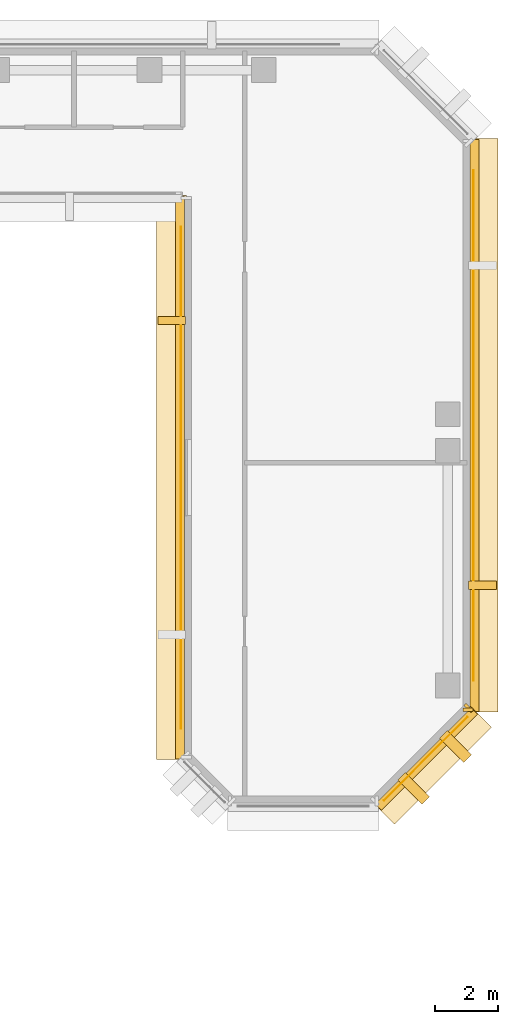
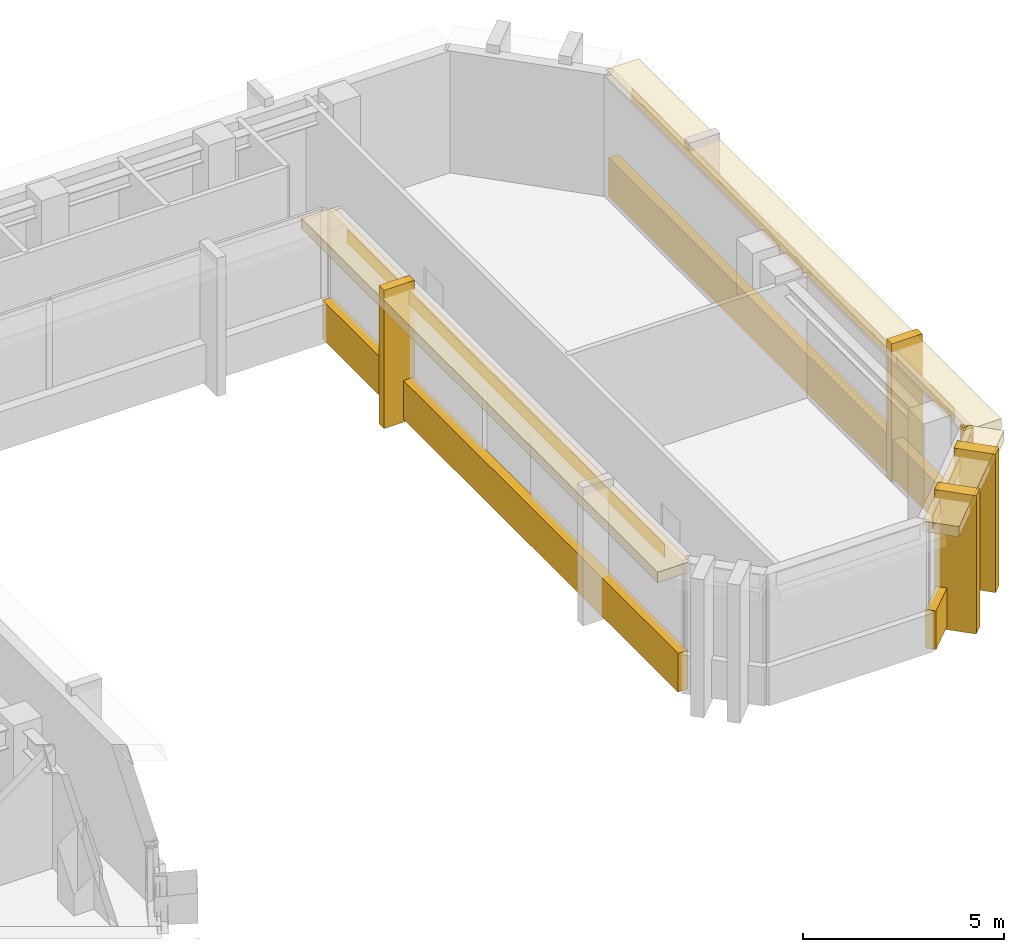
# One storey, part 9 of 11: 15 coverings.
"""IFC4 building model written with IfcOpenShell, lengths in metres."""

from ifc_helpers import new_model, si_unit, direction, frame, origin, origin_2d, place, context, subcontext, project, spatial, rectangle, extrude, material, layer, layer_set, type_object, element, save


model = new_model("IFC4")

# Units and contexts
model_context = context("Model", 3, precision=1e-05, world=origin(), true_north=direction((0.0, 1.0)))
body_context = subcontext(model_context, "Body", "Model", "MODEL_VIEW")
ifc_project = project(units=[si_unit("LENGTHUNIT", "METRE"), si_unit("AREAUNIT", "SQUARE_METRE"), si_unit("VOLUMEUNIT", "CUBIC_METRE"), si_unit("PLANEANGLEUNIT", "RADIAN"), si_unit("MASSUNIT", "GRAM", prefix="KILO")], contexts=[model_context])

# Site, building, storey
site_placement = place(None, origin())
site = spatial("IfcSite", under=ifc_project, at=site_placement, CompositionType="ELEMENT")
building_placement = place(site_placement, origin())
building = spatial("IfcBuilding", under=site, at=building_placement, Name="Kefirva Bronze Tower", CompositionType="ELEMENT")
storey_placement = place(building_placement, frame((0.0, 0.0, 231.659912109375)))
storey = spatial("IfcBuildingStorey", under=building, at=storey_placement, Name="L56", CompositionType="ELEMENT", Elevation=231.659912109375)

# Coverings
ifc_material = material(Name="Bronze anodised aluminium", Category="aluminium")
ifc_layer_1 = layer(ifc_material, 0.02001953125, Name="Bronze anodised aluminium")
ifc_layer_set_1 = layer_set([ifc_layer_1], Name="Bronze anodised aluminium")
covering_type_1 = type_object("IfcCoveringType", Name="Anodised Bronze Spandrel Cladding 20mm", PredefinedType="CLADDING", material=ifc_layer_set_1)
covering_1_placement = place(storey_placement, frame((40.989990234375, 32.35009765625, 3.2900390625), z_axis=(0.0, 0.0, 1.0), x_axis=(0.0, -1.0, 0.0)))
element("IfcCovering", 1, at=covering_1_placement, inside=storey, type_object=covering_type_1, Name="L56 Bronze Spandrel Cladding 5", PredefinedType="CLADDING", context=body_context, shape_type="SweptSolid", body=[
    extrude(rectangle(XDim=15.8310546875, YDim=0.02001953125, at=origin_2d()), origin(), (0.0, 0.0, 1.0), 0.39990234375),
])
covering_2_placement = place(storey_placement, frame((40.9599609375, 32.35009765625, -0.15966796875), z_axis=(0.0, 0.0, 1.0), x_axis=(0.0, -1.0, 0.0)))
element("IfcCovering", 2, at=covering_2_placement, inside=storey, type_object=covering_type_1, Name="L56 Streamline Horizontal Spandrel Band 7", PredefinedType="CLADDING", context=body_context, shape_type="SweptSolid", body=[
    extrude(rectangle(XDim=17.739990234375, YDim=0.280029296875, at=origin_2d()), origin(), (0.0, 0.0, 1.0), 1.179931640625),
])
covering_3_placement = place(storey_placement, frame((48.70703125, 23.492919921875, 3.2900390625), z_axis=(0.0, 0.0, 1.0), x_axis=(0.707106781187, 0.707106781187, 0.0)))
element("IfcCovering", 3, at=covering_3_placement, inside=storey, type_object=covering_type_1, Name="L56 Bronze Spandrel Cladding 8", PredefinedType="CLADDING", context=body_context, shape_type="SweptSolid", body=[
    extrude(rectangle(XDim=3.719482421875, YDim=0.02001953125, at=origin_2d()), origin(), (0.0, 0.0, 1.0), 0.39990234375),
])
covering_4_placement = place(storey_placement, frame((50.06201171875, 25.08837890625, 0.0), z_axis=(0.0, 0.0, 1.0), x_axis=(0.707106781187, 0.707106781187, 0.0)))
element("IfcCovering", 4, at=covering_4_placement, inside=storey, type_object=covering_type_1, Name="L56 Facade Joint Closure Panel 8E", PredefinedType="CLADDING", context=body_context, shape_type="SweptSolid", body=[
    extrude(rectangle(XDim=0.10009765625, YDim=0.320068359375, at=origin_2d()), origin(), (0.0, 0.0, 1.0), 3.7099609375),
])
covering_5_placement = place(storey_placement, frame((48.728271484375, 23.4716796875, -0.15966796875), z_axis=(0.0, 0.0, 1.0), x_axis=(0.707106781187, 0.707106781187, 0.0)))
element("IfcCovering", 5, at=covering_5_placement, inside=storey, type_object=covering_type_1, Name="L56 Streamline Horizontal Spandrel Band 10", PredefinedType="CLADDING", context=body_context, shape_type="SweptSolid", body=[
    extrude(rectangle(XDim=4.28271484375, YDim=0.280029296875, at=origin_2d()), origin(), (0.0, 0.0, 1.0), 1.179931640625),
])
covering_6_placement = place(storey_placement, frame((50.2099609375, 34.0, 3.2900390625), z_axis=(0.0, 0.0, 1.0), x_axis=(0.0, 1.0, 0.0)))
element("IfcCovering", 6, at=covering_6_placement, inside=storey, type_object=covering_type_1, Name="L56 Bronze Spandrel Cladding 9", PredefinedType="CLADDING", context=body_context, shape_type="SweptSolid", body=[
    extrude(rectangle(XDim=16.10107421875, YDim=0.02001953125, at=origin_2d()), origin(), (0.0, 0.0, 1.0), 0.39990234375),
])
covering_7_placement = place(storey_placement, frame((50.0400390625, 25.034912109375, 0.0), z_axis=(0.0, 0.0, 1.0), x_axis=(0.0, 1.0, 0.0)))
element("IfcCovering", 7, at=covering_7_placement, inside=storey, type_object=covering_type_1, Name="L56 Facade Joint Closure Panel 9S", PredefinedType="CLADDING", context=body_context, shape_type="SweptSolid", body=[
    extrude(rectangle(XDim=0.10009765625, YDim=0.320068359375, at=origin_2d()), origin(), (0.0, 0.0, 1.0), 3.7099609375),
])
covering_8_placement = place(storey_placement, frame((50.239990234375, 34.0, -0.15966796875), z_axis=(0.0, 0.0, 1.0), x_axis=(0.0, 1.0, 0.0)))
element("IfcCovering", 8, at=covering_8_placement, inside=storey, type_object=covering_type_1, Name="L56 Streamline Horizontal Spandrel Band 11", PredefinedType="CLADDING", context=body_context, shape_type="SweptSolid", body=[
    extrude(rectangle(XDim=18.0400390625, YDim=0.280029296875, at=origin_2d()), origin(), (0.0, 0.0, 1.0), 1.179931640625),
])
ifc_layer_2 = layer(ifc_material, 0.179931640625, Name="Bronze anodised aluminium")
ifc_layer_set_2 = layer_set([ifc_layer_2], Name="Bronze anodised aluminium")
covering_type_2 = type_object("IfcCoveringType", Name="Streamline Bronze Sunshade Eyebrow Cladding 180mm", PredefinedType="CLADDING", material=ifc_layer_set_2)
covering_9_placement = place(storey_placement, frame((40.68994140625, 32.35009765625, 3.39013671875), z_axis=(0.0, 0.0, 1.0), x_axis=(0.0, -1.0, 0.0)))
element("IfcCovering", 9, at=covering_9_placement, inside=storey, type_object=covering_type_2, Name="L56 Streamline Bronze Sunshade Eyebrow 7", PredefinedType="CLADDING", context=body_context, shape_type="SweptSolid", body=[
    extrude(rectangle(XDim=17.780029296875, YDim=0.93994140625, at=origin_2d()), origin(), (0.0, 0.0, 1.0), 0.320068359375),
])
covering_10_placement = place(storey_placement, frame((48.919189453125, 23.28076171875, 3.39013671875), z_axis=(0.0, 0.0, 1.0), x_axis=(0.707106781187, 0.707106781187, 0.0)))
element("IfcCovering", 10, at=covering_10_placement, inside=storey, type_object=covering_type_2, Name="L56 Streamline Bronze Sunshade Eyebrow 10", PredefinedType="CLADDING", context=body_context, shape_type="SweptSolid", body=[
    extrude(rectangle(XDim=4.322509765625, YDim=0.93994140625, at=origin_2d()), origin(), (0.0, 0.0, 1.0), 0.320068359375),
])
covering_11_placement = place(storey_placement, frame((50.510009765625, 34.0, 3.39013671875), z_axis=(0.0, 0.0, 1.0), x_axis=(0.0, 1.0, 0.0)))
element("IfcCovering", 11, at=covering_11_placement, inside=storey, type_object=covering_type_2, Name="L56 Streamline Bronze Sunshade Eyebrow 11", PredefinedType="CLADDING", context=body_context, shape_type="SweptSolid", body=[
    extrude(rectangle(XDim=18.080078125, YDim=0.93994140625, at=origin_2d()), origin(), (0.0, 0.0, 1.0), 0.320068359375),
])
ifc_layer_3 = layer(ifc_material, 0.260009765625, Name="Bronze anodised aluminium")
ifc_layer_set_3 = layer_set([ifc_layer_3], Name="Bronze anodised aluminium")
covering_type_3 = type_object("IfcCoveringType", Name="Unbroken Bronze Buttress Fin Cladding 260mm", PredefinedType="CLADDING", material=ifc_layer_set_3)
covering_12_placement = place(storey_placement, frame((40.699951171875, 37.305908203125, -0.25), z_axis=(0.0, 0.0, 1.0), x_axis=(0.0, -1.0, 0.0)))
element("IfcCovering", 12, at=covering_12_placement, inside=storey, type_object=covering_type_3, Name="L56 Unbroken Vertical Bronze Rib Fin 13", PredefinedType="CLADDING", context=body_context, shape_type="SweptSolid", body=[
    extrude(rectangle(XDim=0.260009765625, YDim=0.8798828125, at=origin_2d()), origin(), (0.0, 0.0, 1.0), 4.2099609375),
])
for number, where, z_axis, x_axis, name in (
    (13, (48.32275390625, 22.55712890625, -0.25), (0.0, 0.0, 1.0), (0.707106781187, 0.707106781187, 0.0), "L56 Chamfered Corner Buttress Fin Cladding 17"),
    (14, (49.642822265625, 23.877197265625, -0.25), (0.0, 0.0, 1.0), (0.707106781187, 0.707106781187, 0.0), "L56 Chamfered Corner Buttress Fin Cladding 18"),
):
    element("IfcCovering", number, at=place(storey_placement, frame(where, z_axis=z_axis, x_axis=x_axis)), inside=storey, type_object=covering_type_3, Name=name, PredefinedType="CLADDING", context=body_context, shape_type="SweptSolid", body=[
        extrude(rectangle(XDim=0.340087890625, YDim=1.080078125, at=origin_2d()), origin(), (0.0, 0.0, 1.0), 4.2099609375),
    ])
covering_13_placement = place(storey_placement, frame((50.5, 28.9599609375, -0.25), z_axis=(0.0, 0.0, 1.0), x_axis=(0.0, 1.0, 0.0)))
element("IfcCovering", 15, at=covering_13_placement, inside=storey, type_object=covering_type_3, Name="L56 Unbroken Vertical Bronze Rib Fin 19", PredefinedType="CLADDING", context=body_context, shape_type="SweptSolid", body=[
    extrude(rectangle(XDim=0.260009765625, YDim=0.8798828125, at=origin_2d()), origin(), (0.0, 0.0, 1.0), 4.2099609375),
])

save(model, "model.ifc")
